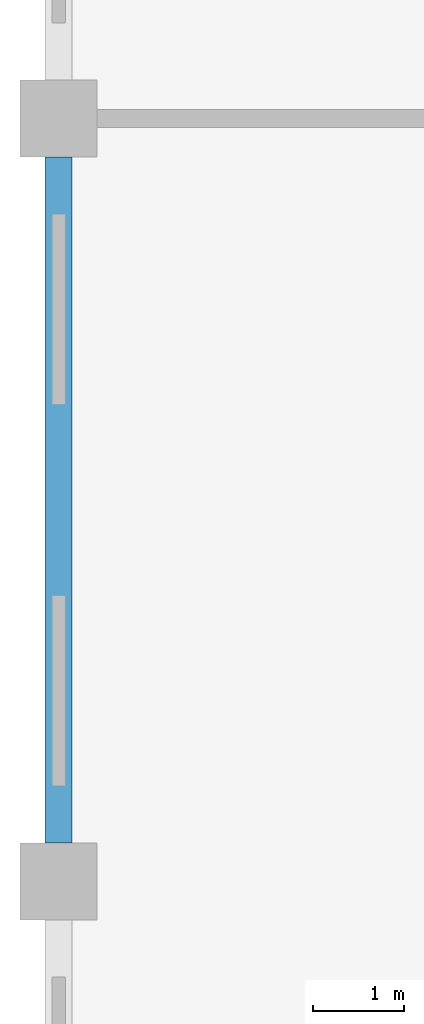
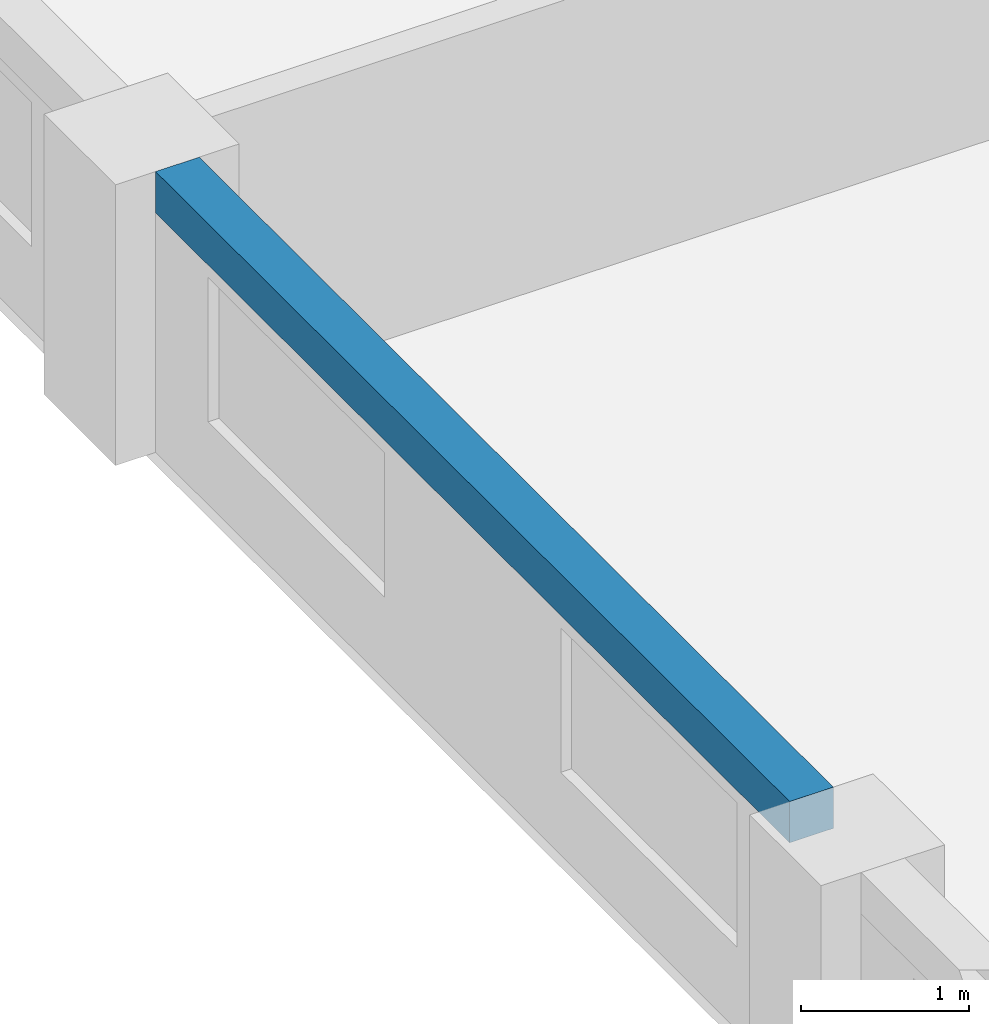
# One storey, part 15 of 48: 1 beam.
"""IFC4 building model written with IfcOpenShell, lengths in metres."""

from ifc_helpers import new_model, si_unit, direction, frame, origin, origin_2d, place, context, subcontext, project, spatial, rectangle, extrude, material, material_profile, profile_set, type_object, element, save


model = new_model("IFC4")

# Units and contexts
model_context = context("Model", 3, precision=1e-05, world=origin(), true_north=direction((0.0, 1.0)))
body_context = subcontext(model_context, "Body", "Model", "MODEL_VIEW")
ifc_project = project(units=[si_unit("LENGTHUNIT", "METRE"), si_unit("AREAUNIT", "SQUARE_METRE"), si_unit("VOLUMEUNIT", "CUBIC_METRE"), si_unit("PLANEANGLEUNIT", "RADIAN"), si_unit("MASSUNIT", "GRAM", prefix="KILO")], contexts=[model_context])

# Site, building, storey
site_placement = place(None, origin())
site = spatial("IfcSite", under=ifc_project, at=site_placement, CompositionType="ELEMENT")
building_placement = place(site_placement, origin())
building = spatial("IfcBuilding", under=site, at=building_placement, Name="Yavir Park General Hospital", CompositionType="ELEMENT")
storey_placement = place(building_placement, frame((0.0, 0.0, 12.89990234375)))
storey = spatial("IfcBuildingStorey", under=building, at=storey_placement, Name="I02", CompositionType="ELEMENT", Elevation=12.89990234375)

# Beam
ifc_material = material(Name="Concrete C35/45", Category="concrete")
ifc_material_profile = material_profile(ifc_material, rectangle(XDim=0.300048828125, YDim=0.300048828125, at=origin_2d()), Name="RC300x300")
ifc_profile_set = profile_set([ifc_material_profile], Name="Concrete C35/45")
beam_type = type_object("IfcBeamType", Name="RC BEAM 300x300 edge beam", PredefinedType="BEAM", material=ifc_profile_set)
beam_placement = place(storey_placement, frame((0.0, 84.425048828125, 1.89013671875), z_axis=(0.0, 1.0, 0.0), x_axis=(-1.0, 0.0, 0.0)))
element("IfcBeam", 1, at=beam_placement, inside=storey, type_object=beam_type, Name="B:EDGE:I02:039", PredefinedType="BEAM", context=body_context, shape_type="SweptSolid", body=[
    extrude(rectangle(XDim=0.300048828125, YDim=0.300048828125, at=origin_2d()), origin(), (0.0, 0.0, 1.0), 7.550048828125),
])

save(model, "model.ifc")
